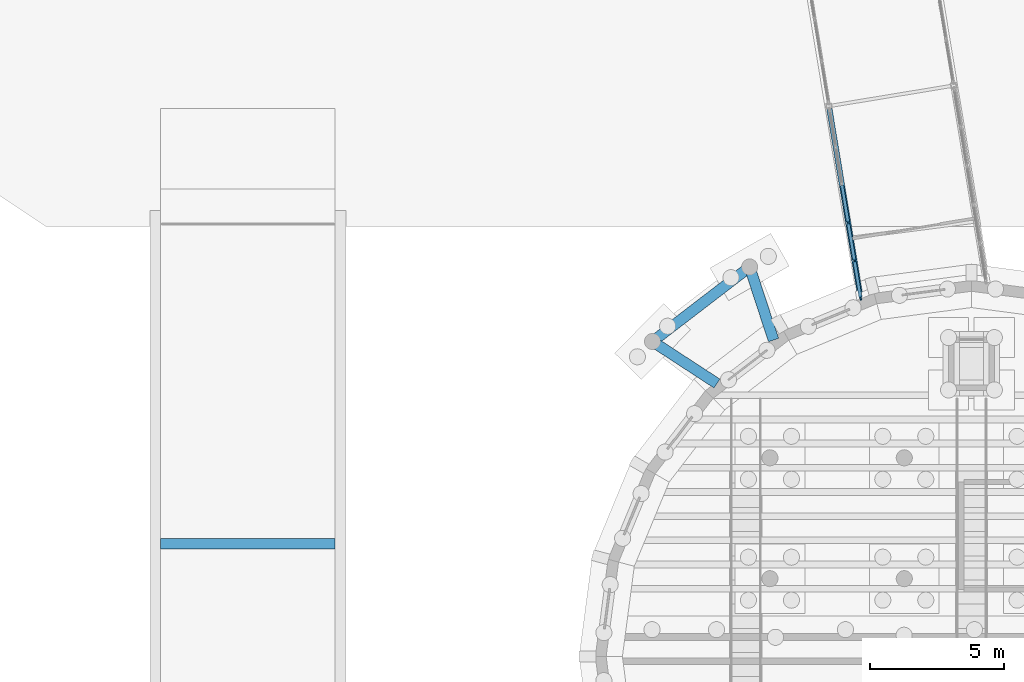
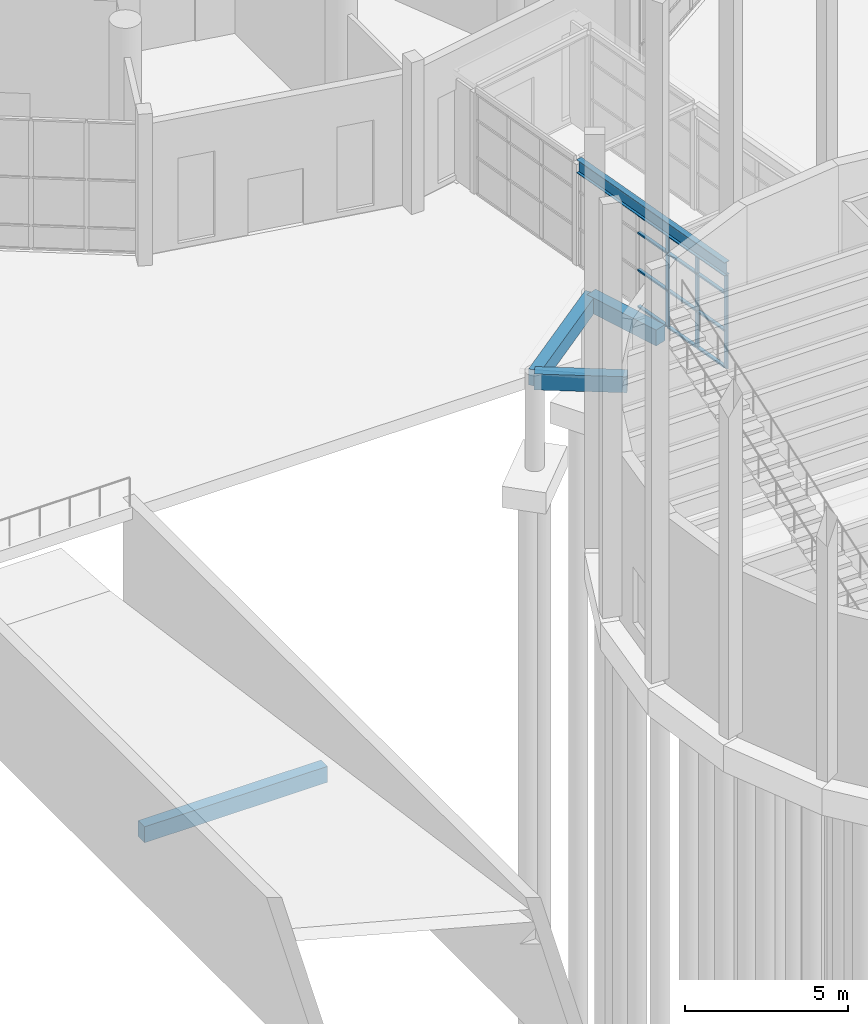
# One storey, part 60 of 226: 15 members, 5 beams, 1 element without a shape of its own.
"""IFC4 building model written with IfcOpenShell, lengths in metres."""

from ifc_helpers import new_model, si_unit, direction, frame, origin, origin_2d, place, context, subcontext, project, spatial, rectangle, i_section, extrude, material, material_profile, profile_set, type_object, element, aggregate, save


model = new_model("IFC4")

# Units and contexts
model_context = context("Model", 3, precision=1e-05, world=origin(), true_north=direction((0.0, 1.0)))
body_context = subcontext(model_context, "Body", "Model", "MODEL_VIEW")
ifc_project = project(units=[si_unit("LENGTHUNIT", "METRE"), si_unit("AREAUNIT", "SQUARE_METRE"), si_unit("VOLUMEUNIT", "CUBIC_METRE"), si_unit("PLANEANGLEUNIT", "RADIAN"), si_unit("MASSUNIT", "GRAM", prefix="KILO")], contexts=[model_context])

# Site, building, storey
site_placement = place(None, origin())
site = spatial("IfcSite", under=ifc_project, at=site_placement, CompositionType="ELEMENT")
building_placement = place(site_placement, origin())
building = spatial("IfcBuilding", under=site, at=building_placement, Name="Ceibo Conservatory and Research Tower", CompositionType="ELEMENT")
storey_placement = place(building_placement, origin())
storey = spatial("IfcBuildingStorey", under=building, at=storey_placement, Name="L00", CompositionType="ELEMENT", Elevation=0.0)

# Curtain wall, members
ifc_material_1 = material(Name="Aluminium and glass", Category="aluminium")
curtain_wall_type = type_object("IfcCurtainWallType", Name="Gallery curtain wall", PredefinedType="NOTDEFINED", material=ifc_material_1)
curtain_wall_placement = place(storey_placement, origin())
curtain_wall = element("IfcCurtainWall", 1, at=curtain_wall_placement, inside=storey, type_object=curtain_wall_type, Name="Gallery curtain wall RT-AUD-CWS02", PredefinedType="NOTDEFINED")
ifc_material_2 = material(Name="Aluminium", Category="aluminium")
ifc_material_profile_1 = material_profile(ifc_material_2, rectangle(XDim=0.06005859375, YDim=0.159912109375, at=origin_2d()), Name="AL 60x160")
ifc_profile_set_1 = profile_set([ifc_material_profile_1], Name="Aluminium")
member_type_1 = type_object("IfcMemberType", Name="Gallery mullion 60x160", PredefinedType="MULLION", material=ifc_profile_set_1)
member_1_placement = place(storey_placement, frame((51.5927734375, 88.146484375, 0.0), z_axis=(0.0, 0.0, 1.0), x_axis=(0.986643339139, 0.162895430671, 0.0)))
member_1 = element("IfcMember", 2, at=member_1_placement, type_object=member_type_1, Name="RT-AUD-CWS02 mullion 4", PredefinedType="MULLION", context=body_context, shape_type="SweptSolid", body=[
    extrude(rectangle(XDim=0.06005859375, YDim=0.159912109375, at=origin_2d()), origin(), (0.0, 0.0, 1.0), 3.5),
])
member_2_placement = place(storey_placement, frame((51.826416015625, 86.73193359375, 0.0), z_axis=(0.0, 0.0, 1.0), x_axis=(0.986643339139, 0.162895430671, 0.0)))
member_2 = element("IfcMember", 3, at=member_2_placement, type_object=member_type_1, Name="RT-AUD-CWS02 mullion 5", PredefinedType="MULLION", context=body_context, shape_type="SweptSolid", body=[
    extrude(rectangle(XDim=0.06005859375, YDim=0.159912109375, at=origin_2d()), origin(), (0.0, 0.0, 1.0), 3.5),
])
member_3_placement = place(storey_placement, frame((52.054931640625, 85.346923828125, 0.0), z_axis=(0.0, 0.0, 1.0), x_axis=(0.986643339139, 0.162895430671, 0.0)))
member_3 = element("IfcMember", 4, at=member_3_placement, type_object=member_type_1, Name="RT-AUD-CWS02 mullion 6", PredefinedType="MULLION", context=body_context, shape_type="SweptSolid", body=[
    extrude(rectangle(XDim=0.06005859375, YDim=0.159912109375, at=origin_2d()), origin(), (0.0, 0.0, 1.0), 3.5),
])
ifc_material_profile_2 = material_profile(ifc_material_2, rectangle(XDim=0.1201171875, YDim=0.06005859375, at=origin_2d()), Name="AL 60x120")
ifc_profile_set_2 = profile_set([ifc_material_profile_2], Name="Aluminium")
member_type_2 = type_object("IfcMemberType", Name="Gallery transom 60x120", PredefinedType="USERDEFINED", material=ifc_profile_set_2)
member_4_placement = place(storey_placement, frame((51.364013671875, 89.53173828125, 0.030029296875), z_axis=(0.162957938861, -0.986633016963, 0.0), x_axis=(0.986633016963, 0.162957938861, 0.0)))
member_4 = element("IfcMember", 5, at=member_4_placement, type_object=member_type_2, Name="RT-AUD-CWS02 transom 3.1", ObjectType="TRANSOM", PredefinedType="USERDEFINED", context=body_context, shape_type="SweptSolid", body=[
    extrude(rectangle(XDim=0.1201171875, YDim=0.06005859375, at=origin_2d()), origin(), (0.0, 0.0, 1.0), 1.373779296875),
])
member_5_placement = place(storey_placement, frame((51.364013671875, 89.53173828125, 1.39990234375), z_axis=(0.162957938861, -0.986633016963, 0.0), x_axis=(0.986633016963, 0.162957938861, 0.0)))
member_5 = element("IfcMember", 6, at=member_5_placement, type_object=member_type_2, Name="RT-AUD-CWS02 transom 3.2", ObjectType="TRANSOM", PredefinedType="USERDEFINED", context=body_context, shape_type="SweptSolid", body=[
    extrude(rectangle(XDim=0.1201171875, YDim=0.06005859375, at=origin_2d()), origin(), (0.0, 0.0, 1.0), 1.373779296875),
])
member_6_placement = place(storey_placement, frame((51.364013671875, 89.53173828125, 2.800048828125), z_axis=(0.162957938861, -0.986633016963, 0.0), x_axis=(0.986633016963, 0.162957938861, 0.0)))
member_6 = element("IfcMember", 7, at=member_6_placement, type_object=member_type_2, Name="RT-AUD-CWS02 transom 3.3", ObjectType="TRANSOM", PredefinedType="USERDEFINED", context=body_context, shape_type="SweptSolid", body=[
    extrude(rectangle(XDim=0.1201171875, YDim=0.06005859375, at=origin_2d()), origin(), (0.0, 0.0, 1.0), 1.373779296875),
])
member_7_placement = place(storey_placement, frame((51.364013671875, 89.53173828125, 3.469970703125), z_axis=(0.162957938861, -0.986633016963, 0.0), x_axis=(0.986633016963, 0.162957938861, 0.0)))
member_7 = element("IfcMember", 8, at=member_7_placement, type_object=member_type_2, Name="RT-AUD-CWS02 transom 3.4", ObjectType="TRANSOM", PredefinedType="USERDEFINED", context=body_context, shape_type="SweptSolid", body=[
    extrude(rectangle(XDim=0.1201171875, YDim=0.06005859375, at=origin_2d()), origin(), (0.0, 0.0, 1.0), 1.373779296875),
])
member_8_placement = place(storey_placement, frame((51.59765625, 88.116943359375, 0.030029296875), z_axis=(0.162957938861, -0.986633016963, 0.0), x_axis=(0.986633016963, 0.162957938861, 0.0)))
member_8 = element("IfcMember", 9, at=member_8_placement, type_object=member_type_2, Name="RT-AUD-CWS02 transom 4.1", ObjectType="TRANSOM", PredefinedType="USERDEFINED", context=body_context, shape_type="SweptSolid", body=[
    extrude(rectangle(XDim=0.1201171875, YDim=0.06005859375, at=origin_2d()), origin(), (0.0, 0.0, 1.0), 1.373779296875),
])
member_9_placement = place(storey_placement, frame((51.59765625, 88.116943359375, 1.39990234375), z_axis=(0.162957938861, -0.986633016963, 0.0), x_axis=(0.986633016963, 0.162957938861, 0.0)))
member_9 = element("IfcMember", 10, at=member_9_placement, type_object=member_type_2, Name="RT-AUD-CWS02 transom 4.2", ObjectType="TRANSOM", PredefinedType="USERDEFINED", context=body_context, shape_type="SweptSolid", body=[
    extrude(rectangle(XDim=0.1201171875, YDim=0.06005859375, at=origin_2d()), origin(), (0.0, 0.0, 1.0), 1.373779296875),
])
member_10_placement = place(storey_placement, frame((51.59765625, 88.116943359375, 2.800048828125), z_axis=(0.162957938861, -0.986633016963, 0.0), x_axis=(0.986633016963, 0.162957938861, 0.0)))
member_10 = element("IfcMember", 11, at=member_10_placement, type_object=member_type_2, Name="RT-AUD-CWS02 transom 4.3", ObjectType="TRANSOM", PredefinedType="USERDEFINED", context=body_context, shape_type="SweptSolid", body=[
    extrude(rectangle(XDim=0.1201171875, YDim=0.06005859375, at=origin_2d()), origin(), (0.0, 0.0, 1.0), 1.373779296875),
])
member_11_placement = place(storey_placement, frame((51.59765625, 88.116943359375, 3.469970703125), z_axis=(0.162957938861, -0.986633016963, 0.0), x_axis=(0.986633016963, 0.162957938861, 0.0)))
member_11 = element("IfcMember", 12, at=member_11_placement, type_object=member_type_2, Name="RT-AUD-CWS02 transom 4.4", ObjectType="TRANSOM", PredefinedType="USERDEFINED", context=body_context, shape_type="SweptSolid", body=[
    extrude(rectangle(XDim=0.1201171875, YDim=0.06005859375, at=origin_2d()), origin(), (0.0, 0.0, 1.0), 1.373779296875),
])
member_12_placement = place(storey_placement, frame((51.831298828125, 86.702392578125, 0.030029296875), z_axis=(0.162778444354, -0.986662646528, 0.0), x_axis=(0.986662646528, 0.162778444354, 0.0)))
member_12 = element("IfcMember", 13, at=member_12_placement, type_object=member_type_2, Name="RT-AUD-CWS02 transom 5.1", ObjectType="TRANSOM", PredefinedType="USERDEFINED", context=body_context, shape_type="SweptSolid", body=[
    extrude(rectangle(XDim=0.1201171875, YDim=0.06005859375, at=origin_2d()), origin(), (0.0, 0.0, 1.0), 1.34375),
])
member_13_placement = place(storey_placement, frame((51.831298828125, 86.702392578125, 1.39990234375), z_axis=(0.162778444354, -0.986662646528, 0.0), x_axis=(0.986662646528, 0.162778444354, 0.0)))
member_13 = element("IfcMember", 14, at=member_13_placement, type_object=member_type_2, Name="RT-AUD-CWS02 transom 5.2", ObjectType="TRANSOM", PredefinedType="USERDEFINED", context=body_context, shape_type="SweptSolid", body=[
    extrude(rectangle(XDim=0.1201171875, YDim=0.06005859375, at=origin_2d()), origin(), (0.0, 0.0, 1.0), 1.34375),
])
member_14_placement = place(storey_placement, frame((51.831298828125, 86.702392578125, 2.800048828125), z_axis=(0.162778444354, -0.986662646528, 0.0), x_axis=(0.986662646528, 0.162778444354, 0.0)))
member_14 = element("IfcMember", 15, at=member_14_placement, type_object=member_type_2, Name="RT-AUD-CWS02 transom 5.3", ObjectType="TRANSOM", PredefinedType="USERDEFINED", context=body_context, shape_type="SweptSolid", body=[
    extrude(rectangle(XDim=0.1201171875, YDim=0.06005859375, at=origin_2d()), origin(), (0.0, 0.0, 1.0), 1.34375),
])
member_15_placement = place(storey_placement, frame((51.831298828125, 86.702392578125, 3.469970703125), z_axis=(0.162778444354, -0.986662646528, 0.0), x_axis=(0.986662646528, 0.162778444354, 0.0)))
member_15 = element("IfcMember", 16, at=member_15_placement, type_object=member_type_2, Name="RT-AUD-CWS02 transom 5.4", ObjectType="TRANSOM", PredefinedType="USERDEFINED", context=body_context, shape_type="SweptSolid", body=[
    extrude(rectangle(XDim=0.1201171875, YDim=0.06005859375, at=origin_2d()), origin(), (0.0, 0.0, 1.0), 1.34375),
])
aggregate(curtain_wall, [member_1, member_2, member_3, member_4, member_5, member_6, member_7, member_8, member_9, member_10, member_11, member_12, member_13, member_14, member_15])

# Beams
ifc_material_3 = material(Name="Steel S355J2", Category="steel")
ifc_material_profile_3 = material_profile(ifc_material_3, i_section(OverallWidth=0.199951171875, OverallDepth=0.5, WebThickness=0.01025390625, FlangeThickness=0.01611328125, at=origin_2d()), Name="IPE 500")
ifc_profile_set_3 = profile_set([ifc_material_profile_3], Name="Steel S355J2")
beam_type_1 = type_object("IfcBeamType", Name="IPE 500 roof girder", PredefinedType="BEAM", material=ifc_profile_set_3)
beam_1_placement = place(storey_placement, frame((50.891357421875, 92.3955078125, 3.75), z_axis=(0.162893298878, -0.986643691097, 0.0), x_axis=(0.986643691097, 0.162893298878, 0.0)))
element("IfcBeam", 17, at=beam_1_placement, inside=storey, type_object=beam_type_1, Name="Gallery roof girder RT-AUD-GRS02", PredefinedType="BEAM", context=body_context, shape_type="SweptSolid", body=[
    extrude(i_section(OverallWidth=0.199951171875, OverallDepth=0.5, WebThickness=0.01025390625, FlangeThickness=0.01611328125, at=origin_2d()), origin(), (0.0, 0.0, 1.0), 7.17919921875),
])
ifc_material_4 = material(Name="Concrete C35/45", Category="concrete")
ifc_material_profile_4 = material_profile(ifc_material_4, rectangle(XDim=0.39990234375, YDim=0.60009765625, at=origin_2d()), Name="RC 400x600")
ifc_profile_set_4 = profile_set([ifc_material_profile_4], Name="Concrete C35/45")
beam_type_2 = type_object("IfcBeamType", Name="RC beam 400x600 C35", PredefinedType="BEAM", material=ifc_profile_set_4)
beam_2_placement = place(storey_placement, frame((26.0, 76.199951171875, -2.753662109375), z_axis=(1.0, 0.0, 0.0), x_axis=(0.0, 1.0, 0.0)))
element("IfcBeam", 18, at=beam_2_placement, inside=storey, type_object=beam_type_2, Name="Ramp cross beam M2", PredefinedType="BEAM", context=body_context, shape_type="SweptSolid", body=[
    extrude(rectangle(XDim=0.39990234375, YDim=0.60009765625, at=origin_2d()), origin(), (0.0, 0.0, 1.0), 6.5),
])
beam_3_placement = place(storey_placement, frame((47.923828125, 86.500732421875, 3.300048828125), z_axis=(-0.793358692504, -0.608754453805, 0.0), x_axis=(0.608754453805, -0.793358692504, 0.0)))
element("IfcBeam", 19, at=beam_3_placement, inside=storey, type_object=beam_type_2, Name="Canopy edge beam F09", PredefinedType="BEAM", context=body_context, shape_type="SweptSolid", body=[
    extrude(rectangle(XDim=0.39990234375, YDim=0.60009765625, at=origin_2d()), origin(), (0.0, 0.0, 1.0), 4.5546875),
])
for number, where, z_axis, x_axis, name in (
    (20, (47.923828125, 86.500732421875, 3.300048828125), (0.310977426887, -0.950417297805, 0.0), (0.950417297805, 0.310977426887, 0.0), "Canopy side beam F09-1"),
    (21, (44.310302734375, 83.72802734375, 3.300048828125), (0.837585143535, -0.546306806959, 0.0), (0.546306806959, 0.837585143535, 0.0), "Canopy side beam F09-2"),
):
    element("IfcBeam", number, at=place(storey_placement, frame(where, z_axis=z_axis, x_axis=x_axis)), inside=storey, type_object=beam_type_2, Name=name, PredefinedType="BEAM", context=body_context, shape_type="SweptSolid", body=[
        extrude(rectangle(XDim=0.39990234375, YDim=0.60009765625, at=origin_2d()), origin(), (0.0, 0.0, 1.0), 2.8623046875),
    ])

save(model, "model.ifc")
